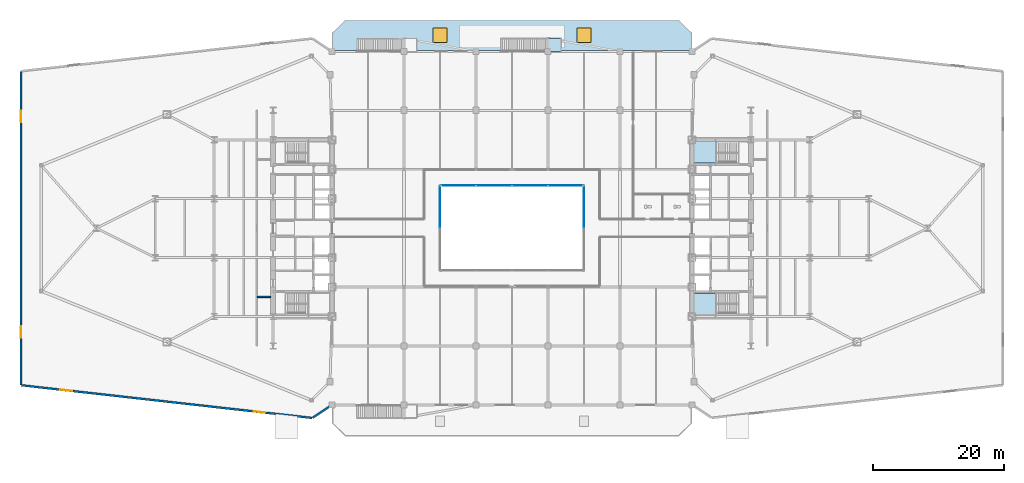
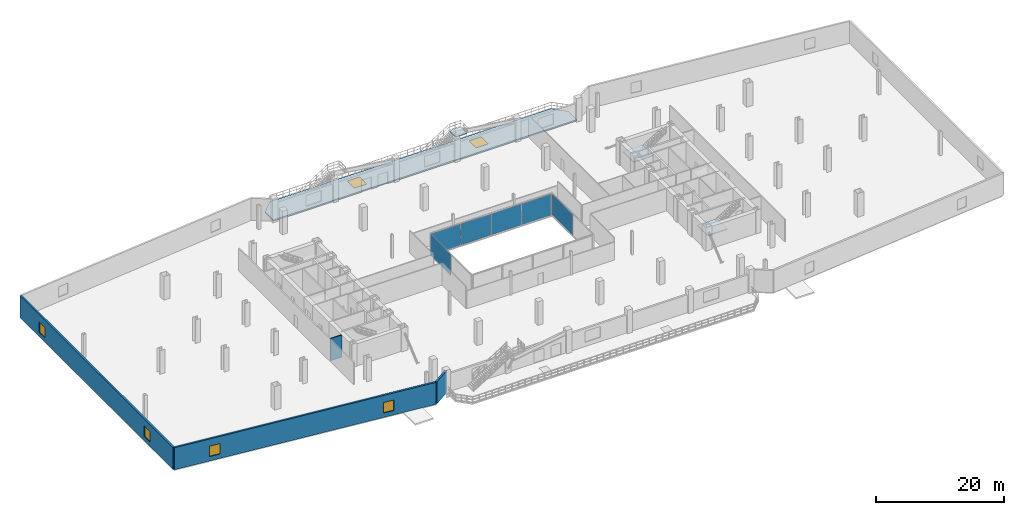
# One storey, part 14 of 25: 6 plates, 6 windows, 4 slabs, 4 walls, 6 openings, 6 elements without a shape of their own.
"""IFC4 building model written with IfcOpenShell, lengths in metres."""

from ifc_helpers import new_model, si_unit, direction, frame, frame_2d, origin, origin_2d, place, context, subcontext, project, spatial, polyline, rectangle, outline, extrude, source, transform, mapped, material, layer, layer_set, type_object, type_shapes, element, fill, aggregate, save


model = new_model("IFC4")

# Units and contexts
model_context = context("Model", 3, precision=1e-05, world=origin(), true_north=direction((0.0, 1.0)))
body_context = subcontext(model_context, "Body", "Model", "MODEL_VIEW")
ifc_project = project(units=[si_unit("LENGTHUNIT", "METRE"), si_unit("AREAUNIT", "SQUARE_METRE"), si_unit("VOLUMEUNIT", "CUBIC_METRE"), si_unit("PLANEANGLEUNIT", "RADIAN"), si_unit("MASSUNIT", "GRAM", prefix="KILO")], contexts=[model_context])

# Site, building, storey
site_placement = place(None, origin())
site = spatial("IfcSite", under=ifc_project, at=site_placement, CompositionType="ELEMENT")
building_placement = place(site_placement, origin())
building = spatial("IfcBuilding", under=site, at=building_placement, Name="Seokmaru Belvedere", CompositionType="ELEMENT")
storey_placement = place(building_placement, frame((0.0, 0.0, 5.39990234375)))
storey = spatial("IfcBuildingStorey", under=building, at=storey_placement, Name="L01", CompositionType="ELEMENT", Elevation=5.39990234375)

# Slab, openings, windows
ifc_material_1 = material(Name="Concrete C40 (40 MPa)", Category="concrete")
ifc_layer_1 = layer(ifc_material_1, 0.239990234375)
ifc_layer_set_1 = layer_set([ifc_layer_1], Name="Concrete C40 (40 MPa)")
slab_type_1 = type_object("IfcSlabType", Name="Planted Garden Terrace Slab 240", PredefinedType="ROOF", material=ifc_layer_set_1)
slab_1_placement = place(storey_placement, frame((0.0, 0.0, -0.239990234375)))
slab_1 = element("IfcSlab", 1, at=slab_1_placement, inside=storey, type_object=slab_type_1, Name="L01 Cascading Planted Garden Terrace North", PredefinedType="ROOF", context=body_context, shape_type="SweptSolid", body=[
    extrude(outline(polyline([(-27.449951171875, 27.159912109375), (27.449951171875, 27.159912109375), (27.449951171875, 29.800048828125), (25.449951171875, 31.800048828125), (-25.449951171875, 31.800048828125), (-27.449951171875, 29.800048828125), (-27.449951171875, 27.159912109375)])), origin(), (0.0, 0.0, 1.0), 0.239990234375),
])
opening_1_placement = place(slab_1_placement, frame((-11.0, 29.47998046875, -0.010009765625)))
opening_1 = element("IfcOpeningElement", 2, at=opening_1_placement, cuts=slab_1, Name="Opening SK1", PredefinedType="OPENING", context=body_context, shape_type="SweptSolid", body=[
    extrude(rectangle(XDim=2.199951171875, YDim=2.199951171875, at=origin_2d()), origin(), (0.0, 0.0, 1.0), 0.260009765625),
])
opening_2_placement = place(slab_1_placement, frame((11.0, 29.47998046875, -0.010009765625)))
opening_2 = element("IfcOpeningElement", 3, at=opening_2_placement, cuts=slab_1, Name="Opening SK1", PredefinedType="OPENING", context=body_context, shape_type="SweptSolid", body=[
    extrude(rectangle(XDim=2.199951171875, YDim=2.199951171875, at=origin_2d()), origin(), (0.0, 0.0, 1.0), 0.260009765625),
])
ifc_material_2 = material(Name="Bronze Triple Insulating Glass", Category="glass")
window_type_1 = type_object("IfcWindowType", Name="Podium Terrace Structural Glass Rooflight 2200x2200", PartitioningType="SINGLE_PANEL", PredefinedType="SKYLIGHT", material=ifc_material_2)
window_1_placement = place(opening_1_placement, frame((0.0, 0.0, 0.199951171875)))
window_1 = element("IfcWindow", 4, at=window_1_placement, inside=storey, type_object=window_type_1, Name="L01 Podium Garden Rooflight 1", OverallHeight=2.199951171875, OverallWidth=2.199951171875, PartitioningType="SINGLE_PANEL", PredefinedType="SKYLIGHT", context=body_context, shape_type="SweptSolid", body=[
    extrude(rectangle(XDim=2.199951171875, YDim=2.199951171875, at=origin_2d()), origin(), (0.0, 0.0, 1.0), 0.050048828125),
])
fill(opening_1, window_1)
window_2_placement = place(opening_2_placement, frame((0.0, 0.0, 0.199951171875)))
window_2 = element("IfcWindow", 5, at=window_2_placement, inside=storey, type_object=window_type_1, Name="L01 Podium Garden Rooflight 2", OverallHeight=2.199951171875, OverallWidth=2.199951171875, PartitioningType="SINGLE_PANEL", PredefinedType="SKYLIGHT", context=body_context, shape_type="SweptSolid", body=[
    extrude(rectangle(XDim=2.199951171875, YDim=2.199951171875, at=origin_2d()), origin(), (0.0, 0.0, 1.0), 0.050048828125),
])
fill(opening_2, window_2)

# Stair, slab
stair_type_1 = type_object("IfcStairType", Name="Cascading Podium Core Dog-Leg Stair 4500", PredefinedType="TWO_STRAIGHT_RUN_STAIR", material=ifc_material_1)
stair_1_placement = place(storey_placement, origin())
stair_1 = element("IfcStair", 6, at=stair_1_placement, inside=storey, type_object=stair_type_1, Name="L01 Special Escape Stair ST-E1", PredefinedType="TWO_STRAIGHT_RUN_STAIR")
ifc_layer_2 = layer(ifc_material_1, 0.199951171875)
ifc_layer_set_2 = layer_set([ifc_layer_2], Name="Concrete C40 (40 MPa)")
slab_type_2 = type_object("IfcSlabType", Name="Reinforced Concrete Stair Landing Slab 200", PredefinedType="LANDING", material=ifc_layer_set_2)
slab_2_placement = place(storey_placement, frame((0.0, 0.0, 2.050048828125)))
slab_2 = element("IfcSlab", 7, at=slab_2_placement, type_object=slab_type_2, Name="ST-E1 landing 1", PredefinedType="LANDING", context=body_context, shape_type="SweptSolid", body=[
    extrude(outline(polyline([(27.760009765625, -13.239990234375), (31.320068359375, -13.239990234375), (31.320068359375, -9.949951171875), (27.760009765625, -9.949951171875), (27.760009765625, -13.239990234375)])), origin(), (0.0, 0.0, 1.0), 0.199951171875),
])
aggregate(stair_1, [slab_2])

stair_2_placement = place(storey_placement, origin())
stair_2 = element("IfcStair", 8, at=stair_2_placement, inside=storey, type_object=stair_type_1, Name="L01 Special Escape Stair ST-E2", PredefinedType="TWO_STRAIGHT_RUN_STAIR")
slab_3_placement = place(storey_placement, frame((0.0, 0.0, 2.050048828125)))
slab_3 = element("IfcSlab", 9, at=slab_3_placement, type_object=slab_type_2, Name="ST-E2 landing 1", PredefinedType="LANDING", context=body_context, shape_type="SweptSolid", body=[
    extrude(outline(polyline([(27.760009765625, 9.949951171875), (31.320068359375, 9.949951171875), (31.320068359375, 13.239990234375), (27.760009765625, 13.239990234375), (27.760009765625, 9.949951171875)])), origin(), (0.0, 0.0, 1.0), 0.199951171875),
])
aggregate(stair_2, [slab_3])

stair_type_2 = type_object("IfcStairType", Name="Cascading Garden Terrace Feature Straight Stair 1800", PredefinedType="STRAIGHT_RUN_STAIR", material=ifc_material_1)
stair_3_placement = place(storey_placement, origin())
stair_3 = element("IfcStair", 10, at=stair_3_placement, inside=storey, type_object=stair_type_2, Name="L01 Cascading Terrace Straight Stair N2", PredefinedType="STRAIGHT_RUN_STAIR")
slab_4_placement = place(storey_placement, frame((0.0, 0.0, 4.300048828125)))
slab_4 = element("IfcSlab", 11, at=slab_4_placement, type_object=slab_type_2, Name="ST-T2 landing 1", PredefinedType="LANDING", context=body_context, shape_type="SweptSolid", body=[
    extrude(outline(polyline([(5.385009765625, 27.02001953125), (7.465087890625, 27.02001953125), (7.465087890625, 29.0), (5.385009765625, 29.0), (5.385009765625, 27.02001953125)])), origin(), (0.0, 0.0, 1.0), 0.199951171875),
])
aggregate(stair_3, [slab_4])

# Curtain wall, plates
ifc_layer_3 = layer(ifc_material_2, 0.219970703125)
ifc_layer_set_3 = layer_set([ifc_layer_3], Name="Bronze Triple Insulating Glass")
curtain_wall_type = type_object("IfcCurtainWallType", Name="Podium Concourse Curtain Wall System CW-1", PredefinedType="NOTDEFINED", material=ifc_layer_set_3)
curtain_wall_1_placement = place(storey_placement, origin())
curtain_wall_1 = element("IfcCurtainWall", 12, at=curtain_wall_1_placement, inside=storey, type_object=curtain_wall_type, Name="L01 Curtain Wall AT_N", PredefinedType="NOTDEFINED")
ifc_layer_4 = layer(ifc_material_2, 0.035888671875)
ifc_layer_set_4 = layer_set([ifc_layer_4], Name="Bronze Triple Insulating Glass")
plate_type = type_object("IfcPlateType", Name="Bronze Triple Vision Glazing Panel 36", PredefinedType="CURTAIN_PANEL", material=ifc_layer_set_4)
shared_shape_1 = source(origin(), body_context, "Body", "SweptSolid", [
    extrude(rectangle(XDim=5.3701171875, YDim=0.035888671875, at=origin_2d()), origin(), (0.0, 0.0, 1.0), 4.070068359375),
])
plate_1_placement = place(storey_placement, frame((8.215087890625, 6.5, 0.0751953125), z_axis=(0.0, 0.0, 1.0), x_axis=(-1.0, 0.0, 0.0)))
plate_1 = element("IfcPlate", 13, at=plate_1_placement, type_object=plate_type, Name="CW:L01:AT_N Glazing Panel 1-1", PredefinedType="CURTAIN_PANEL", context=body_context, shape_type="MappedRepresentation", body=[
    mapped(shared_shape_1, transform((0.0, 0.0, 0.0), scale=1.0)),
])
plate_2_placement = place(storey_placement, frame((-8.215087890625, 6.5, 0.0751953125), z_axis=(0.0, 0.0, 1.0), x_axis=(-1.0, 0.0, 0.0)))
plate_2 = element("IfcPlate", 14, at=plate_2_placement, type_object=plate_type, Name="CW:L01:AT_N Glazing Panel 4-1", PredefinedType="CURTAIN_PANEL", context=body_context, shape_type="MappedRepresentation", body=[
    mapped(shared_shape_1, transform((0.0, 0.0, 0.0), scale=1.0)),
])
shared_shape_2 = source(origin(), body_context, "Body", "SweptSolid", [
    extrude(rectangle(XDim=5.409912109375, YDim=0.035888671875, at=origin_2d()), origin(), (0.0, 0.0, 1.0), 4.070068359375),
])
plate_3_placement = place(storey_placement, frame((2.7451171875, 6.5, 0.0751953125), z_axis=(0.0, 0.0, 1.0), x_axis=(-1.0, 0.0, 0.0)))
plate_3 = element("IfcPlate", 15, at=plate_3_placement, type_object=plate_type, Name="CW:L01:AT_N Glazing Panel 2-1", PredefinedType="CURTAIN_PANEL", context=body_context, shape_type="MappedRepresentation", body=[
    mapped(shared_shape_2, transform((0.0, 0.0, 0.0), scale=1.0)),
])
plate_4_placement = place(storey_placement, frame((-2.7451171875, 6.5, 0.0751953125), z_axis=(0.0, 0.0, 1.0), x_axis=(-1.0, 0.0, 0.0)))
plate_4 = element("IfcPlate", 16, at=plate_4_placement, type_object=plate_type, Name="CW:L01:AT_N Glazing Panel 3-1", PredefinedType="CURTAIN_PANEL", context=body_context, shape_type="MappedRepresentation", body=[
    mapped(shared_shape_2, transform((0.0, 0.0, 0.0), scale=1.0)),
])
aggregate(curtain_wall_1, [plate_1, plate_3, plate_4, plate_2])

# Curtain wall, plate
curtain_wall_2_placement = place(storey_placement, origin())
curtain_wall_2 = element("IfcCurtainWall", 17, at=curtain_wall_2_placement, inside=storey, type_object=curtain_wall_type, Name="L01 Curtain Wall AT_E", PredefinedType="NOTDEFINED")
shared_shape_3 = source(origin(), body_context, "Body", "SweptSolid", [
    extrude(rectangle(XDim=6.360107421875, YDim=0.035888671875, at=origin_2d()), origin(), (0.0, 0.0, 1.0), 4.070068359375),
])
type_shapes(plate_type, [shared_shape_1, shared_shape_2, shared_shape_3])
plate_5_placement = place(storey_placement, frame((11.0, 3.219970703125, 0.0751953125), z_axis=(0.0, 0.0, 1.0), x_axis=(0.0, 1.0, 0.0)))
plate_5 = element("IfcPlate", 18, at=plate_5_placement, type_object=plate_type, Name="CW:L01:AT_E Glazing Panel 2-1", PredefinedType="CURTAIN_PANEL", context=body_context, shape_type="MappedRepresentation", body=[
    mapped(shared_shape_3, transform((0.0, 0.0, 0.0), scale=1.0)),
])
aggregate(curtain_wall_2, [plate_5])

curtain_wall_3_placement = place(storey_placement, origin())
curtain_wall_3 = element("IfcCurtainWall", 19, at=curtain_wall_3_placement, inside=storey, type_object=curtain_wall_type, Name="L01 Curtain Wall AT_W", PredefinedType="NOTDEFINED")
plate_6_placement = place(storey_placement, frame((-11.0, 3.219970703125, 0.0751953125), z_axis=(0.0, 0.0, 1.0), x_axis=(0.0, -1.0, 0.0)))
plate_6 = element("IfcPlate", 20, at=plate_6_placement, type_object=plate_type, Name="CW:L01:AT_W Glazing Panel 1-1", PredefinedType="CURTAIN_PANEL", context=body_context, shape_type="MappedRepresentation", body=[
    mapped(shared_shape_3, transform((0.0, 0.0, 0.0), scale=1.0)),
])
aggregate(curtain_wall_3, [plate_6])

# Wall
ifc_material_3 = material(Name="Fire-Rated Gypsum Shaftwall")
ifc_layer_5 = layer(ifc_material_3, 0.199951171875)
ifc_layer_set_5 = layer_set([ifc_layer_5], Name="Fire-Rated Gypsum Shaftwall")
wall_type_1 = type_object("IfcWallType", Name="Inter-Tenancy Fire Compartment Partition 200", PredefinedType="PARTITIONING", material=ifc_layer_set_5)
wall_1_placement = place(storey_placement, frame((-38.9150390625, -10.5, 0.0), z_axis=(0.0, 0.0, 1.0), x_axis=(1.0, 0.0, 0.0)))
element("IfcWall", 21, at=wall_1_placement, inside=storey, type_object=wall_type_1, Name="L01 Interior Partition 001", PredefinedType="PARTITIONING", context=body_context, shape_type="SweptSolid", body=[
    extrude(rectangle(XDim=2.03515625, YDim=0.199951171875, at=frame_2d((1.017578125, 0.0))), origin(), (0.0, 0.0, 1.0), 4.22021484375),
])

# Wall, openings, windows
ifc_layer_6 = layer(ifc_material_1, 0.320068359375)
ifc_layer_set_6 = layer_set([ifc_layer_6], Name="Concrete C40 (40 MPa)")
wall_type_2 = type_object("IfcWallType", Name="Podium Terrace Insulated Wall 320", PredefinedType="SOLIDWALL", material=ifc_layer_set_6)
wall_2_placement = place(storey_placement, frame((-74.960205078125, -24.00439453125, 0.0), z_axis=(0.0, 0.0, 1.0), x_axis=(0.993746430789, -0.111660338952, 0.0)))
wall_2 = element("IfcWall", 22, at=wall_2_placement, inside=storey, type_object=wall_type_2, Name="L01 Exterior Podium Wall 01", PredefinedType="SOLIDWALL", context=body_context, shape_type="SweptSolid", body=[
    extrude(rectangle(XDim=44.699951171875, YDim=0.320068359375, at=frame_2d((22.35009765625, 0.0))), origin(), (0.0, 0.0, 1.0), 4.22021484375),
])
opening_3_placement = place(wall_2_placement, frame((6.0, 0.0, 0.85009765625)))
opening_3 = element("IfcOpeningElement", 23, at=opening_3_placement, cuts=wall_2, Name="Opening WN2", PredefinedType="OPENING", context=body_context, shape_type="SweptSolid", body=[
    extrude(rectangle(XDim=1.800048828125, YDim=2.0, at=frame_2d((0.89990234375, 1.0))), frame((0.0, 0.169921875, 0.0), z_axis=(0.0, -1.0, 0.0), x_axis=(1.0, 0.0, 0.0)), (0.0, 0.0, 1.0), 0.340087890625),
])
opening_4_placement = place(wall_2_placement, frame((35.699951171875, 0.0, 0.85009765625)))
opening_4 = element("IfcOpeningElement", 24, at=opening_4_placement, cuts=wall_2, Name="Opening WN2", PredefinedType="OPENING", context=body_context, shape_type="SweptSolid", body=[
    extrude(rectangle(XDim=1.800048828125, YDim=2.0, at=frame_2d((0.89990234375, 1.0))), frame((0.0, 0.169921875, 0.0), z_axis=(0.0, -1.0, 0.0), x_axis=(1.0, 0.0, 0.0)), (0.0, 0.0, 1.0), 0.340087890625),
])
window_type_2 = type_object("IfcWindowType", Name="Podium Gallery Window 1800x2000", PartitioningType="SINGLE_PANEL", PredefinedType="WINDOW", material=ifc_material_2)
shared_shape_4 = source(origin(), body_context, "Body", "SweptSolid", [
    extrude(rectangle(XDim=1.800048828125, YDim=2.0, at=frame_2d((0.89990234375, 1.0))), frame((0.0, 0.030029296875, 0.0), z_axis=(0.0, -1.0, 0.0), x_axis=(1.0, 0.0, 0.0)), (0.0, 0.0, 1.0), 0.06005859375),
])
type_shapes(window_type_2, [shared_shape_4])
window_3_placement = place(opening_3_placement, origin())
window_3 = element("IfcWindow", 25, at=window_3_placement, inside=storey, type_object=window_type_2, Name="L01 Podium Gallery Window 0-1", OverallHeight=2.0, OverallWidth=1.800048828125, PartitioningType="SINGLE_PANEL", PredefinedType="WINDOW", context=body_context, shape_type="MappedRepresentation", body=[
    mapped(shared_shape_4, transform((0.0, 0.0, 0.0), scale=1.0)),
])
fill(opening_3, window_3)
window_4_placement = place(opening_4_placement, origin())
window_4 = element("IfcWindow", 26, at=window_4_placement, inside=storey, type_object=window_type_2, Name="L01 Podium Gallery Window 0-2", OverallHeight=2.0, OverallWidth=1.800048828125, PartitioningType="SINGLE_PANEL", PredefinedType="WINDOW", context=body_context, shape_type="MappedRepresentation", body=[
    mapped(shared_shape_4, transform((0.0, 0.0, 0.0), scale=1.0)),
])
fill(opening_4, window_4)

# Wall
wall_3_placement = place(storey_placement, frame((-30.466796875, -28.977783203125, 0.0), z_axis=(0.0, 0.0, 1.0), x_axis=(0.832071600484, 0.554668235676, 0.0)))
element("IfcWall", 27, at=wall_3_placement, inside=storey, type_object=wall_type_2, Name="L01 Exterior Podium Wall 02", PredefinedType="SOLIDWALL", context=body_context, shape_type="SweptSolid", body=[
    extrude(rectangle(XDim=3.525634765625, YDim=0.320068359375, at=frame_2d((1.7626953125, 0.0))), origin(), (0.0, 0.0, 1.0), 4.22021484375),
])

# Wall, openings, windows
wall_4_placement = place(storey_placement, frame((-75.0, 23.9599609375, 0.0), z_axis=(0.0, 0.0, 1.0), x_axis=(0.0, -1.0, 0.0)))
wall_4 = element("IfcWall", 28, at=wall_4_placement, inside=storey, type_object=wall_type_2, Name="L01 Exterior Podium Wall 12", PredefinedType="SOLIDWALL", context=body_context, shape_type="SweptSolid", body=[
    extrude(rectangle(XDim=47.919921875, YDim=0.320068359375, at=frame_2d((23.9599609375, 0.0))), origin(), (0.0, 0.0, 1.0), 4.22021484375),
])
opening_5_placement = place(wall_4_placement, frame((6.0, 0.0, 0.85009765625)))
opening_5 = element("IfcOpeningElement", 29, at=opening_5_placement, cuts=wall_4, Name="Opening WN2", PredefinedType="OPENING", context=body_context, shape_type="SweptSolid", body=[
    extrude(rectangle(XDim=1.800048828125, YDim=2.0, at=frame_2d((0.89990234375, 1.0))), frame((0.0, 0.169921875, 0.0), z_axis=(0.0, -1.0, 0.0), x_axis=(1.0, 0.0, 0.0)), (0.0, 0.0, 1.0), 0.340087890625),
])
opening_6_placement = place(wall_4_placement, frame((38.919921875, 0.0, 0.85009765625)))
opening_6 = element("IfcOpeningElement", 30, at=opening_6_placement, cuts=wall_4, Name="Opening WN2", PredefinedType="OPENING", context=body_context, shape_type="SweptSolid", body=[
    extrude(rectangle(XDim=1.800048828125, YDim=2.0, at=frame_2d((0.89990234375, 1.0))), frame((0.0, 0.169921875, 0.0), z_axis=(0.0, -1.0, 0.0), x_axis=(1.0, 0.0, 0.0)), (0.0, 0.0, 1.0), 0.340087890625),
])
window_5_placement = place(opening_5_placement, origin())
window_5 = element("IfcWindow", 31, at=window_5_placement, inside=storey, type_object=window_type_2, Name="L01 Podium Gallery Window 11-1", OverallHeight=2.0, OverallWidth=1.800048828125, PartitioningType="SINGLE_PANEL", PredefinedType="WINDOW", context=body_context, shape_type="MappedRepresentation", body=[
    mapped(shared_shape_4, transform((0.0, 0.0, 0.0), scale=1.0)),
])
fill(opening_5, window_5)
window_6_placement = place(opening_6_placement, origin())
window_6 = element("IfcWindow", 32, at=window_6_placement, inside=storey, type_object=window_type_2, Name="L01 Podium Gallery Window 11-2", OverallHeight=2.0, OverallWidth=1.800048828125, PartitioningType="SINGLE_PANEL", PredefinedType="WINDOW", context=body_context, shape_type="MappedRepresentation", body=[
    mapped(shared_shape_4, transform((0.0, 0.0, 0.0), scale=1.0)),
])
fill(opening_6, window_6)

save(model, "model.ifc")
